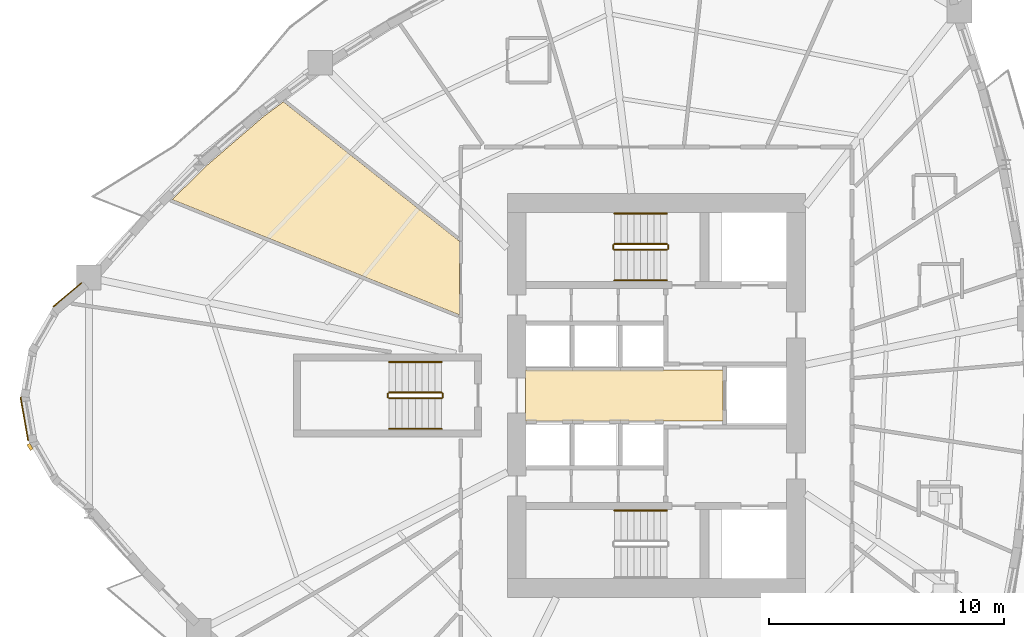
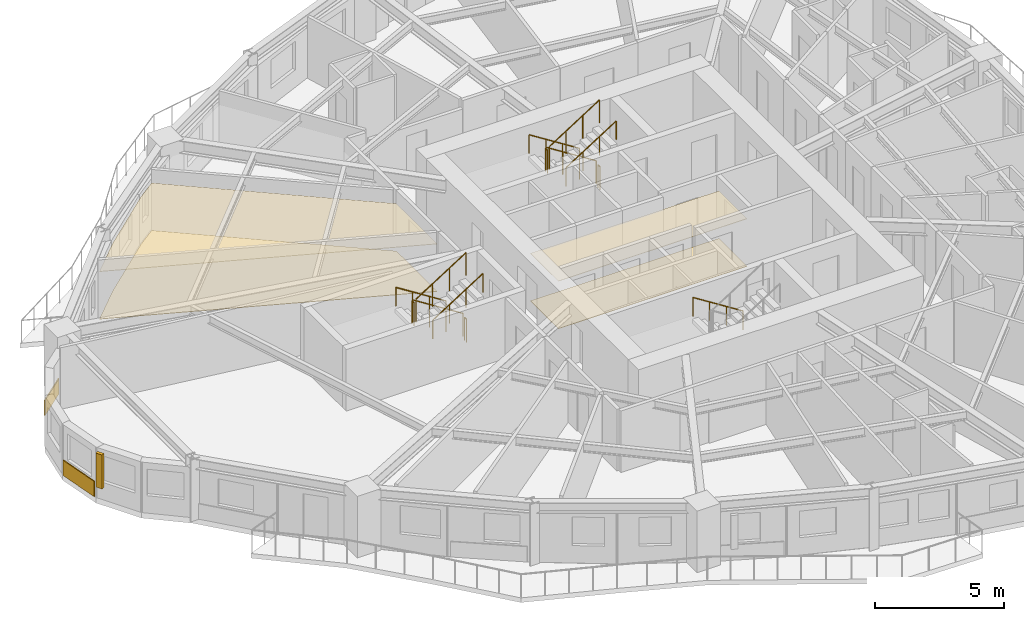
# One storey, part 11 of 13: 13 railings, 6 coverings, 1 shading device.
"""IFC4 building model written with IfcOpenShell, lengths in metres."""

from ifc_helpers import new_model, si_unit, direction, frame, origin, origin_2d, place, context, subcontext, project, spatial, polyline, rectangle, circle, outline, extrude, source, transform, mapped, material, layer, layer_set, type_object, element, save


model = new_model("IFC4")

# Units and contexts
model_context = context("Model", 3, precision=1e-05, world=origin(), true_north=direction((0.0, 1.0)))
body_context = subcontext(model_context, "Body", "Model", "MODEL_VIEW")
ifc_project = project(units=[si_unit("LENGTHUNIT", "METRE"), si_unit("AREAUNIT", "SQUARE_METRE"), si_unit("VOLUMEUNIT", "CUBIC_METRE"), si_unit("PLANEANGLEUNIT", "RADIAN"), si_unit("MASSUNIT", "GRAM", prefix="KILO")], contexts=[model_context])

# Site, building, storey
site_placement = place(None, origin())
site = spatial("IfcSite", under=ifc_project, at=site_placement, CompositionType="ELEMENT")
building_placement = place(site_placement, origin())
building = spatial("IfcBuilding", under=site, at=building_placement, Name="Qafzar Sky-Pleat Residences", CompositionType="ELEMENT")
storey_placement = place(building_placement, frame((0.0, 0.0, 62.199951171875)))
storey = spatial("IfcBuildingStorey", under=building, at=storey_placement, Name="L18", CompositionType="ELEMENT", Elevation=62.199951171875)

# Coverings
ifc_material_1 = material(Name="Perforated acoustic gypsum board ceiling")
ifc_layer_1 = layer(ifc_material_1, 0.02001953125)
ifc_layer_set_1 = layer_set([ifc_layer_1], Name="Perforated acoustic gypsum board ceiling")
covering_type_1 = type_object("IfcCoveringType", Name="COV-CEIL-ACOUSTIC", PredefinedType="CEILING", material=ifc_layer_set_1)
covering_1_placement = place(storey_placement, frame((0.0, 0.0, 2.239990234375)))
element("IfcCovering", 1, at=covering_1_placement, inside=storey, type_object=covering_type_1, Name="L18 Passenger Lift Lobby Acoustic Ceiling", PredefinedType="CEILING", context=body_context, shape_type="SweptSolid", body=[
    extrude(outline(polyline([(33.179931640625, 24.919921875), (24.77001953125, 24.919921875), (24.77001953125, 27.080078125), (33.179931640625, 27.080078125), (33.179931640625, 24.919921875)])), origin(), (0.0, 0.0, 1.0), 0.02001953125),
])
covering_2_placement = place(storey_placement, frame((0.0, 0.0, 2.239990234375)))
element("IfcCovering", 2, at=covering_2_placement, inside=storey, type_object=covering_type_1, Name="L18 Co-Living Lounge Acoustic Ceiling", PredefinedType="CEILING", context=body_context, shape_type="SweptSolid", body=[
    extrude(outline(polyline([(13.63330078125, 37.892333984375), (14.462646484375, 38.506103515625), (21.9599609375, 32.568115234375), (21.9599609375, 29.432861328125), (9.731689453125, 34.342041015625), (11.128173828125, 35.733154296875), (13.63330078125, 37.892333984375)])), origin(), (0.0, 0.0, 1.0), 0.02001953125),
])
ifc_material_2 = material(Name="Honed porcelain and Riyadh stone tile flooring", Category="masonry")
ifc_layer_2 = layer(ifc_material_2, 0.02001953125)
ifc_layer_set_2 = layer_set([ifc_layer_2], Name="Honed porcelain and Riyadh stone tile flooring")
covering_type_2 = type_object("IfcCoveringType", Name="COV-FLR-PORCELAIN", PredefinedType="FLOORING", material=ifc_layer_set_2)
covering_3_placement = place(storey_placement, origin())
element("IfcCovering", 3, at=covering_3_placement, inside=storey, type_object=covering_type_2, Name="L18 Passenger Lift Lobby Honed Stone Flooring", PredefinedType="FLOORING", context=body_context, shape_type="SweptSolid", body=[
    extrude(outline(polyline([(33.179931640625, 24.919921875), (24.77001953125, 24.919921875), (24.77001953125, 27.080078125), (33.179931640625, 27.080078125), (33.179931640625, 24.919921875)])), origin(), (0.0, 0.0, 1.0), 0.02001953125),
])
covering_4_placement = place(storey_placement, origin())
element("IfcCovering", 4, at=covering_4_placement, inside=storey, type_object=covering_type_2, Name="L18 Co-Living Lounge Honed Stone Flooring", PredefinedType="FLOORING", context=body_context, shape_type="SweptSolid", body=[
    extrude(outline(polyline([(13.63330078125, 37.892333984375), (14.462646484375, 38.506103515625), (21.9599609375, 32.568115234375), (21.9599609375, 29.432861328125), (9.731689453125, 34.342041015625), (11.128173828125, 35.733154296875), (13.63330078125, 37.892333984375)])), origin(), (0.0, 0.0, 1.0), 0.02001953125),
])
ifc_material_3 = material(Name="Honed Riyadh Tuwaiq limestone cladding", Category="masonry")
ifc_layer_3 = layer(ifc_material_3, 0.044921875)
ifc_layer_set_3 = layer_set([ifc_layer_3], Name="Honed Riyadh Tuwaiq limestone cladding")
covering_type_3 = type_object("IfcCoveringType", Name="COV-CLAD-STONE", PredefinedType="CLADDING", material=ifc_layer_set_3)
shared_shape_1 = source(origin(), body_context, "Body", "SweptSolid", [
    extrude(rectangle(XDim=1.5771484375, YDim=0.044921875, at=origin_2d()), origin(), (0.0, 0.0, 1.0), 0.719970703125),
])
covering_5_placement = place(storey_placement, frame((5.260009765625, 30.28369140625, 0.02001953125), z_axis=(0.0, 0.0, 1.0), x_axis=(-0.766074606481, -0.642751660678, 0.0)))
element("IfcCovering", 5, at=covering_5_placement, inside=storey, type_object=covering_type_3, Name="L18 Riyadh Limestone Spandrel Cladding 1", PredefinedType="CLADDING", context=body_context, shape_type="MappedRepresentation", body=[
    mapped(shared_shape_1, transform((0.0, 0.0, 0.0), x_axis=(1.0, 0.0, 0.0), y_axis=(0.0, 1.0, 0.0), z_axis=(0.0, 0.0, 1.0), scale=1.0)),
])

# Shading device
ifc_material_4 = material(Name="Honed Riyadh limestone solar fin", Category="masonry")
ifc_layer_4 = layer(ifc_material_4, 0.139892578125)
ifc_layer_set_4 = layer_set([ifc_layer_4], Name="Honed Riyadh limestone solar fin")
shading_device_type = type_object("IfcShadingDeviceType", Name="SHD-FIN-STONE", PredefinedType="SHUTTER", material=ifc_layer_set_4)
shared_shape_2 = source(origin(), body_context, "Body", "SweptSolid", [
    extrude(rectangle(XDim=0.139892578125, YDim=0.280029296875, at=origin_2d()), origin(), (0.0, 0.0, 1.0), 1.60009765625),
])
shading_device_placement = place(storey_placement, frame((3.669677734375, 23.80859375, 0.60009765625), z_axis=(0.0, 0.0, 1.0), x_axis=(-0.86604422228, -0.499967403994, 0.0)))
element("IfcShadingDevice", 6, at=shading_device_placement, inside=storey, type_object=shading_device_type, Name="L18 Limestone Solar Fin 5", PredefinedType="SHUTTER", context=body_context, shape_type="MappedRepresentation", body=[
    mapped(shared_shape_2, transform((0.0, 0.0, 0.0), x_axis=(1.0, 0.0, 0.0), y_axis=(0.0, 1.0, 0.0), z_axis=(0.0, 0.0, 1.0), scale=1.0)),
])

# Covering
shared_shape_3 = source(origin(), body_context, "Body", "SweptSolid", [
    extrude(rectangle(XDim=1.88134765625, YDim=0.044921875, at=origin_2d()), origin(), (0.0, 0.0, 1.0), 0.719970703125),
])
covering_6_placement = place(storey_placement, frame((3.42822265625, 25.00439453125, 0.02001953125), z_axis=(0.0, 0.0, 1.0), x_axis=(0.173662519465, -0.984805224059, 0.0)))
element("IfcCovering", 7, at=covering_6_placement, inside=storey, type_object=covering_type_3, Name="L18 Riyadh Limestone Spandrel Cladding 4", PredefinedType="CLADDING", context=body_context, shape_type="MappedRepresentation", body=[
    mapped(shared_shape_3, transform((0.0, 0.0, 0.0), x_axis=(1.0, 0.0, 0.0), y_axis=(0.0, 1.0, 0.0), z_axis=(0.0, 0.0, 1.0), scale=1.0)),
])

# Railings
ifc_material_5 = material(Name="Painted Steel S355 stair guardrail", Category="steel")
railing_type_1 = type_object("IfcRailingType", Name="RAIL-STAIR-GUARD", PredefinedType="GUARDRAIL", material=ifc_material_5)
shared_shape_4 = source(origin(), body_context, "Body", "SweptSolid", [
    extrude(circle(Radius=0.02392578125, at=origin_2d()), frame((0.0, 0.0, 1.076171875), z_axis=(0.0, -1.0, 0.0), x_axis=(1.0, 0.0, 0.0)), (0.0, 0.0, 1.0), 0.14990234375),
    extrude(circle(Radius=0.02099609375, at=origin_2d()), origin(), (0.0, 0.0, 1.0), 1.052001953125),
    extrude(circle(Radius=0.02099609375, at=origin_2d()), frame((0.0, -0.14990234375, 0.0)), (0.0, 0.0, 1.0), 1.052001953125),
])
for number, where, name in (
    (8, (28.510009765625, 32.39990234375, 1.60009765625), "L18 ST2 stair guard 2"),
    (9, (30.85009765625, 32.39990234375, 0.0), "L18 ST2 stair guard 4"),
    (10, (18.909912109375, 26.074951171875, 1.60009765625), "L18 ST3 stair guard 2"),
    (11, (21.25, 26.074951171875, 0.0), "L18 ST3 stair guard 4"),
):
    element("IfcRailing", number, at=place(storey_placement, frame(where)), inside=storey, type_object=railing_type_1, Name=name, PredefinedType="GUARDRAIL", context=body_context, shape_type="MappedRepresentation", body=[
        mapped(shared_shape_4, transform((0.0, 0.0, 0.0), x_axis=(1.0, 0.0, 0.0), y_axis=(0.0, 1.0, 0.0), z_axis=(0.0, 0.0, 1.0), scale=1.0)),
    ])
shared_shape_5 = source(origin(), body_context, "Body", "SweptSolid", [
    extrude(circle(Radius=0.02392578125, at=origin_2d()), frame((0.0, 0.0, 1.076171875), z_axis=(0.8442293374, 0.0, 0.53598211339), x_axis=(0.0, 1.0, 0.0)), (0.0, 0.0, 1.0), 2.6533203125),
    extrude(circle(Radius=0.02099609375, at=origin_2d()), origin(), (0.0, 0.0, 1.0), 1.052001953125),
    extrude(circle(Radius=0.02099609375, at=origin_2d()), frame((0.74658203125, 0.0, 0.47412109375)), (0.0, 0.0, 1.0), 1.052001953125),
    extrude(circle(Radius=0.02099609375, at=origin_2d()), frame((1.493408203125, 0.0, 0.947998046875)), (0.0, 0.0, 1.0), 1.052001953125),
    extrude(circle(Radius=0.02099609375, at=origin_2d()), frame((2.239990234375, 0.0, 1.422119140625)), (0.0, 0.0, 1.0), 1.052001953125),
])
for number, where, name in (
    (12, (28.56005859375, 32.199951171875, 1.77783203125), "L18 ST2 stair guard 3"),
    (13, (18.9599609375, 25.875, 1.77783203125), "L18 ST3 stair guard 3"),
):
    element("IfcRailing", number, at=place(storey_placement, frame(where)), inside=storey, type_object=railing_type_1, Name=name, PredefinedType="GUARDRAIL", context=body_context, shape_type="MappedRepresentation", body=[
        mapped(shared_shape_5, transform((0.0, 0.0, 0.0), x_axis=(1.0, 0.0, 0.0), y_axis=(0.0, 1.0, 0.0), z_axis=(0.0, 0.0, 1.0), scale=1.0)),
    ])
ifc_material_6 = material(Name="Brushed stainless steel handrail", Category="steel")
railing_type_2 = type_object("IfcRailingType", Name="RAIL-STAIR-HAND", PredefinedType="HANDRAIL", material=ifc_material_6)
shared_shape_6 = source(origin(), body_context, "Body", "SweptSolid", [
    extrude(circle(Radius=0.02392578125, at=origin_2d()), frame((0.0, 0.0, 0.8759765625), z_axis=(0.8442293374, 0.0, 0.53598211339), x_axis=(0.0, 1.0, 0.0)), (0.0, 0.0, 1.0), 2.6533203125),
    extrude(circle(Radius=0.02099609375, at=origin_2d()), origin(), (0.0, 0.0, 1.0), 0.851806640625),
    extrude(circle(Radius=0.02099609375, at=origin_2d()), frame((0.74658203125, 0.0, 0.47412109375)), (0.0, 0.0, 1.0), 0.851806640625),
    extrude(circle(Radius=0.02099609375, at=origin_2d()), frame((1.493408203125, 0.0, 0.947998046875)), (0.0, 0.0, 1.0), 0.851806640625),
    extrude(circle(Radius=0.02099609375, at=origin_2d()), frame((2.239990234375, 0.0, 1.422119140625)), (0.0, 0.0, 1.0), 0.851806640625),
])
for number, where, name in (
    (14, (28.56005859375, 30.89990234375, 1.77783203125), "L18 ST2 stair handrail 2"),
    (15, (18.9599609375, 24.574951171875, 1.77783203125), "L18 ST3 stair handrail 2"),
):
    element("IfcRailing", number, at=place(storey_placement, frame(where)), inside=storey, type_object=railing_type_2, Name=name, PredefinedType="HANDRAIL", context=body_context, shape_type="MappedRepresentation", body=[
        mapped(shared_shape_6, transform((0.0, 0.0, 0.0), x_axis=(1.0, 0.0, 0.0), y_axis=(0.0, 1.0, 0.0), z_axis=(0.0, 0.0, 1.0), scale=1.0)),
    ])
shared_shape_7 = source(origin(), body_context, "Body", "SweptSolid", [
    extrude(circle(Radius=0.02392578125, at=origin_2d()), frame((0.0, 0.0, 1.076171875), z_axis=(-0.84418770128, 0.0, 0.536047689118), x_axis=(0.0, -1.0, 0.0)), (0.0, 0.0, 1.0), 2.6533203125),
    extrude(circle(Radius=0.02099609375, at=origin_2d()), origin(), (0.0, 0.0, 1.0), 1.052001953125),
    extrude(circle(Radius=0.02099609375, at=origin_2d()), frame((-0.74658203125, 0.0, 0.47412109375)), (0.0, 0.0, 1.0), 1.052001953125),
    extrude(circle(Radius=0.02099609375, at=origin_2d()), frame((-1.493408203125, 0.0, 0.9482421875)), (0.0, 0.0, 1.0), 1.052001953125),
    extrude(circle(Radius=0.02099609375, at=origin_2d()), frame((-2.239990234375, 0.0, 1.42236328125)), (0.0, 0.0, 1.0), 1.052001953125),
])
for number, where, name in (
    (16, (30.800048828125, 32.449951171875, 0.177734375), "L18 ST2 stair guard 1"),
    (17, (21.199951171875, 26.125, 0.177734375), "L18 ST3 stair guard 1"),
):
    element("IfcRailing", number, at=place(storey_placement, frame(where)), inside=storey, type_object=railing_type_1, Name=name, PredefinedType="GUARDRAIL", context=body_context, shape_type="MappedRepresentation", body=[
        mapped(shared_shape_7, transform((0.0, 0.0, 0.0), x_axis=(1.0, 0.0, 0.0), y_axis=(0.0, 1.0, 0.0), z_axis=(0.0, 0.0, 1.0), scale=1.0)),
    ])
shared_shape_8 = source(origin(), body_context, "Body", "SweptSolid", [
    extrude(circle(Radius=0.02392578125, at=origin_2d()), frame((0.0, 0.0, 0.8759765625), z_axis=(-0.84418770128, 0.0, 0.536047689118), x_axis=(0.0, -1.0, 0.0)), (0.0, 0.0, 1.0), 2.6533203125),
    extrude(circle(Radius=0.02099609375, at=origin_2d()), origin(), (0.0, 0.0, 1.0), 0.851806640625),
    extrude(circle(Radius=0.02099609375, at=origin_2d()), frame((-0.74658203125, 0.0, 0.47412109375)), (0.0, 0.0, 1.0), 0.851806640625),
    extrude(circle(Radius=0.02099609375, at=origin_2d()), frame((-1.493408203125, 0.0, 0.9482421875)), (0.0, 0.0, 1.0), 0.851806640625),
    extrude(circle(Radius=0.02099609375, at=origin_2d()), frame((-2.239990234375, 0.0, 1.42236328125)), (0.0, 0.0, 1.0), 0.851806640625),
])
for number, where, name in (
    (18, (30.800048828125, 21.10009765625, 0.177734375), "L18 ST1 stair handrail 1"),
    (19, (30.800048828125, 33.75, 0.177734375), "L18 ST2 stair handrail 1"),
    (20, (21.199951171875, 27.425048828125, 0.177734375), "L18 ST3 stair handrail 1"),
):
    element("IfcRailing", number, at=place(storey_placement, frame(where)), inside=storey, type_object=railing_type_2, Name=name, PredefinedType="HANDRAIL", context=body_context, shape_type="MappedRepresentation", body=[
        mapped(shared_shape_8, transform((0.0, 0.0, 0.0), x_axis=(1.0, 0.0, 0.0), y_axis=(0.0, 1.0, 0.0), z_axis=(0.0, 0.0, 1.0), scale=1.0)),
    ])

save(model, "model.ifc")
